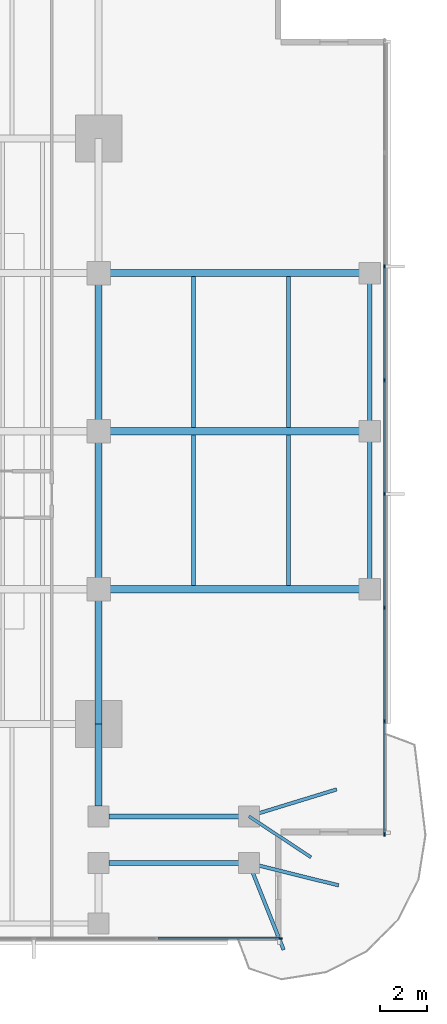
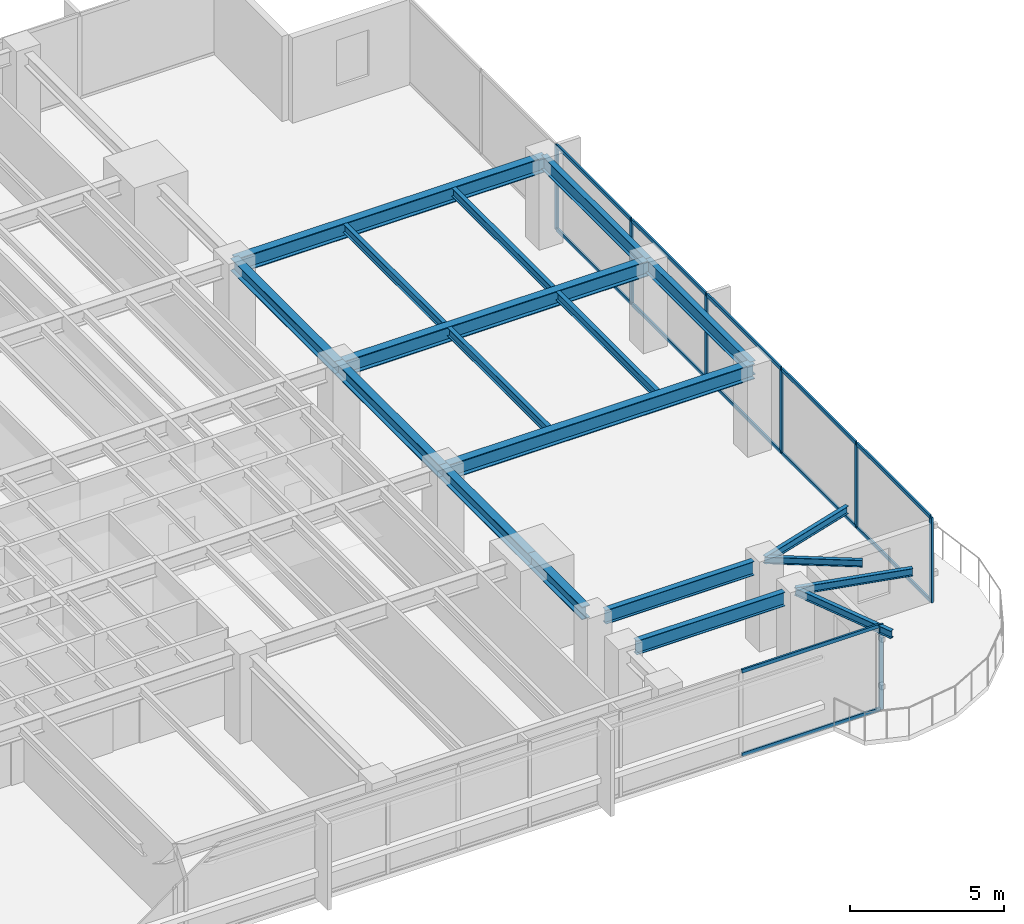
# One storey, part 4 of 14: 19 beams, 19 members, 2 elements without a shape of their own.
"""IFC4 building model written with IfcOpenShell, lengths in metres."""

import ifcopenshell
import ifcopenshell.guid

model = None  # the IFC model being written
_history = None  # IfcOwnerHistory: only IFC2X3 demands one
_inside = {}  # id of a spatial element -> (the spatial element, [elements in it])
_under = {}  # id of a project, library or spatial element -> (it, [spatial elements below it])
_declared = {}  # id of a project -> (the project, [libraries it declares])
_typed = {}  # id of a type object -> (the type object, [elements of that type])
_made_of = {}  # id of a material, layer set ... -> (it, [elements and type objects made of it])


def new_model(schema):
    """Start an empty IFC model of exactly this schema.

    Asked for "IFC4X3", IfcOpenShell would pick the latest addendum, in which some entities
    have other attributes; the version numbers below select the first issue.
    IFC2X3 requires an IfcOwnerHistory on every rooted entity: one is made here for all.
    """
    global model, _history
    if schema == "IFC4X3":
        model = ifcopenshell.file(schema_version=(4, 3, 0, 0))
    else:
        model = ifcopenshell.file(schema=schema)
    _inside.clear()
    _under.clear()
    _declared.clear()
    _typed.clear()
    _made_of.clear()
    _history = None
    if model.schema == "IFC2X3":
        org = make("IfcOrganization", Name="unknown")
        user = make(
            "IfcPersonAndOrganization",
            ThePerson=make("IfcPerson", FamilyName="unknown"),
            TheOrganization=org,
        )
        app = make(
            "IfcApplication",
            ApplicationDeveloper=org,
            Version="unknown",
            ApplicationFullName="unknown",
            ApplicationIdentifier="unknown",
        )
        _history = make(
            "IfcOwnerHistory",
            OwningUser=user,
            OwningApplication=app,
            ChangeAction="ADDED",
            CreationDate=0,
        )
    return model


def make(cls, **values):
    """One entity of the class cls with the attributes given. An attribute that is None is left unset."""
    return model.create_entity(
        cls, **{name: value for name, value in values.items() if value is not None}
    )


def rooted(cls, **values):
    """An entity with a GlobalId (a new one), such as an element, a storey or a relation."""
    return make(cls, GlobalId=ifcopenshell.guid.new(), OwnerHistory=_history, **values)


def si_unit(unit_type, name, prefix=None):
    """IfcSIUnit, for example si_unit("LENGTHUNIT", "METRE", prefix="MILLI")."""
    return make("IfcSIUnit", UnitType=unit_type, Prefix=prefix, Name=name)


def assignment(units):
    """IfcUnitAssignment: the units of a project."""
    return None if units is None else make("IfcUnitAssignment", Units=units)


def point(xyz):
    """IfcCartesianPoint."""
    return None if xyz is None else make("IfcCartesianPoint", Coordinates=xyz)


def direction(xyz):
    """IfcDirection."""
    return None if xyz is None else make("IfcDirection", DirectionRatios=xyz)


def frame(location, z_axis=None, x_axis=None):
    """IfcAxis2Placement3D, a coordinate frame: its origin and axes. An axis left out is left unset."""
    return make(
        "IfcAxis2Placement3D",
        Location=point(location),
        Axis=direction(z_axis),
        RefDirection=direction(x_axis),
    )


def frame_2d(location, x_axis=None):
    """IfcAxis2Placement2D, a coordinate frame in the plane: its origin and x axis."""
    return make(
        "IfcAxis2Placement2D", Location=point(location), RefDirection=direction(x_axis)
    )


def origin():
    """The frame at (0, 0, 0) with its axes left unset."""
    return frame((0.0, 0.0, 0.0))


def origin_2d():
    """The frame at (0, 0) in the plane with its x axis left unset."""
    return frame_2d((0.0, 0.0))


def place(relative_to, where):
    """IfcLocalPlacement: puts the frame where relative to a parent placement (None: the world)."""
    return make(
        "IfcLocalPlacement", PlacementRelTo=relative_to, RelativePlacement=where
    )


def context(
    kind, dimensions, precision=None, world=None, true_north=None, identifier=None
):
    """IfcGeometricRepresentationContext, for example the 3D "Model" context."""
    return make(
        "IfcGeometricRepresentationContext",
        ContextIdentifier=identifier,
        ContextType=kind,
        CoordinateSpaceDimension=dimensions,
        Precision=precision,
        WorldCoordinateSystem=world,
        TrueNorth=true_north,
    )


def subcontext(parent, identifier, kind, view, scale=None):
    """IfcGeometricRepresentationSubContext, for example "Body" below "Model"."""
    return make(
        "IfcGeometricRepresentationSubContext",
        ContextIdentifier=identifier,
        ContextType=kind,
        ParentContext=parent,
        TargetScale=scale,
        TargetView=view,
    )


def project(units=None, contexts=None):
    """IfcProject with its units and contexts."""
    return rooted(
        "IfcProject",
        Name="project",
        RepresentationContexts=contexts,
        UnitsInContext=assignment(units),
    )


def spatial(cls, under=None, at=None, **own):
    """A site, building, storey or space (cls), placed at a placement, below another one or the project."""
    s = rooted(cls, ObjectPlacement=at, **own)
    if under is not None:
        _under.setdefault(under.id(), (under, []))[1].append(s)
    return s


def profile(cls, at=None, kind="AREA", **sizes):
    """A parametric profile (cls). Its sizes go by their IFC names, for example OverallWidth=200.0."""
    return make(cls, ProfileType=kind, Position=at, **sizes)


def rectangle(**sizes):
    """IfcRectangleProfileDef."""
    return profile("IfcRectangleProfileDef", **sizes)


def i_section(**sizes):
    """IfcIShapeProfileDef."""
    return profile("IfcIShapeProfileDef", **sizes)


def extrude(swept, where, along, depth):
    """IfcExtrudedAreaSolid: the profile swept, set in the frame where, extruded along a direction by depth."""
    return make(
        "IfcExtrudedAreaSolid",
        SweptArea=swept,
        Position=where,
        ExtrudedDirection=direction(along),
        Depth=depth,
    )


def shape(context_of_items, identifier, shape_type, items):
    """IfcShapeRepresentation: the items that make up one representation, for example the "Body"."""
    return make(
        "IfcShapeRepresentation",
        ContextOfItems=context_of_items,
        RepresentationIdentifier=identifier,
        RepresentationType=shape_type,
        Items=items,
    )


def material(Name=None, Category=None):
    """IfcMaterial."""
    return make("IfcMaterial", Name=Name, Category=Category)


def layer(
    of_material, thickness, ventilated=None, Name=None, Category=None, Priority=None
):
    """IfcMaterialLayer: one layer of a wall or slab, of a material (None: an air gap)."""
    return make(
        "IfcMaterialLayer",
        Material=of_material,
        LayerThickness=thickness,
        IsVentilated=ventilated,
        Name=Name,
        Category=Category,
        Priority=Priority,
    )


def layer_set(layers, Name=None):
    """IfcMaterialLayerSet."""
    return make("IfcMaterialLayerSet", MaterialLayers=layers, LayerSetName=Name)


def material_profile(
    of_material, cross_section, Name=None, Category=None, Priority=None
):
    """IfcMaterialProfile: a cross section and its material."""
    return make(
        "IfcMaterialProfile",
        Name=Name,
        Material=of_material,
        Profile=cross_section,
        Priority=Priority,
        Category=Category,
    )


def profile_set(profiles, Name=None, composite=None):
    """IfcMaterialProfileSet."""
    return make(
        "IfcMaterialProfileSet",
        Name=Name,
        MaterialProfiles=profiles,
        CompositeProfile=composite,
    )


def made_of(thing, what):
    """Note that an element or type object is made of a material, layer set ...; save() writes the relation."""
    if what is not None:
        _made_of.setdefault(what.id(), (what, []))[1].append(thing)
    return thing


def type_object(cls, material=None, **own):
    """A type object (cls), such as IfcWallType, which elements share."""
    return made_of(rooted(cls, **own), material)


def element(
    cls,
    number,
    at=None,
    inside=None,
    cuts=None,
    type_object=None,
    material=None,
    context=None,
    identifier="Body",
    shape_type=None,
    held_by="IfcProductDefinitionShape",
    body=None,
    shapes=None,
    **own,
):
    """One element of the class cls, such as IfcWall. Its Tag is "e" and its number.

    at: its placement. inside: the storey or other place that contains it. cuts: it is an
    opening in that element (IfcRelVoidsElement). A single representation is given by context,
    identifier, shape_type and body (its items); several are given by shapes. held_by: the class
    of the entity that holds the representations. save() writes the other relations.
    """
    e = rooted(cls, Tag="e%d" % number, ObjectPlacement=at, **own)
    if body is not None:
        shapes = [shape(context, identifier, shape_type, body)]
    if shapes is not None:
        e.Representation = make(held_by, Representations=shapes)
    if inside is not None:
        _inside.setdefault(inside.id(), (inside, []))[1].append(e)
    if cuts is not None:
        rooted(
            "IfcRelVoidsElement", RelatingBuildingElement=cuts, RelatedOpeningElement=e
        )
    if type_object is not None:
        _typed.setdefault(type_object.id(), (type_object, []))[1].append(e)
    return made_of(e, material)


def aggregate(whole, parts):
    """IfcRelAggregates: a whole, such as a stair, and the parts it consists of."""
    return rooted("IfcRelAggregates", RelatingObject=whole, RelatedObjects=parts)


def save(model, path):
    """Write the relations noted so far, then the file.

    IfcRelAggregates (storeys below a building ...), IfcRelContainedInSpatialStructure (elements
    in a storey), IfcRelDefinesByType, IfcRelAssociatesMaterial and IfcRelDeclares: one each for
    every whole, place, type object, material and project.
    """
    for whole, parts in _under.values():
        aggregate(whole, parts)
    for where, things in _inside.values():
        rooted(
            "IfcRelContainedInSpatialStructure",
            RelatedElements=things,
            RelatingStructure=where,
        )
    for kind, things in _typed.values():
        rooted("IfcRelDefinesByType", RelatedObjects=things, RelatingType=kind)
    for what, things in _made_of.values():
        rooted("IfcRelAssociatesMaterial", RelatedObjects=things, RelatingMaterial=what)
    for by, libraries in _declared.values():
        rooted("IfcRelDeclares", RelatingContext=by, RelatedDefinitions=libraries)
    model.write(path)


model = new_model("IFC4")

# Units and contexts
model_context = context("Model", 3, precision=1e-05, world=origin(), true_north=direction((0.0, 1.0)))
body_context = subcontext(model_context, "Body", "Model", "MODEL_VIEW")
ifc_project = project(units=[si_unit("LENGTHUNIT", "METRE"), si_unit("AREAUNIT", "SQUARE_METRE"), si_unit("VOLUMEUNIT", "CUBIC_METRE"), si_unit("PLANEANGLEUNIT", "RADIAN"), si_unit("MASSUNIT", "GRAM", prefix="KILO")], contexts=[model_context])

# Site, building, storey
site_placement = place(None, origin())
site = spatial("IfcSite", under=ifc_project, at=site_placement, CompositionType="ELEMENT")
building_placement = place(site_placement, origin())
building = spatial("IfcBuilding", under=site, at=building_placement, Name="Kinhvarn Gate Tower", CompositionType="ELEMENT")
storey_placement = place(building_placement, frame((0.0, 0.0, 127.10009765625)))
storey = spatial("IfcBuildingStorey", under=building, at=storey_placement, Name="L33", CompositionType="ELEMENT", Elevation=127.10009765625)

# Curtain wall, member
ifc_material_1 = material(Name="Anodised aluminium AW-6063", Category="aluminium")
ifc_layer = layer(ifc_material_1, 0.179931640625)
ifc_layer_set = layer_set([ifc_layer], Name="Anodised aluminium AW-6063")
curtain_wall_type = type_object("IfcCurtainWallType", Name="CW-SYS-3", PredefinedType="NOTDEFINED", material=ifc_layer_set)
curtain_wall_1_placement = place(storey_placement, origin())
curtain_wall_1 = element("IfcCurtainWall", 1, at=curtain_wall_1_placement, inside=storey, type_object=curtain_wall_type, Name="Curtain Wall CW3 (L33)", PredefinedType="NOTDEFINED")
ifc_material_profile_1 = material_profile(ifc_material_1, rectangle(XDim=0.06494140625, YDim=0.159912109375, at=origin_2d()), Name="ALU 65x160")
ifc_profile_set_1 = profile_set([ifc_material_profile_1], Name="Anodised aluminium AW-6063")
member_type_1 = type_object("IfcMemberType", Name="CW-MUL-160", PredefinedType="MULLION", material=ifc_profile_set_1)
member_1_placement = place(storey_placement, frame((45.967529296875, 3.590087890625, 0.0), z_axis=(0.0, 0.0, 1.0), x_axis=(0.0, 1.0, 0.0)))
member_1 = element("IfcMember", 2, at=member_1_placement, type_object=member_type_1, Name="CW3 mullion 8", PredefinedType="MULLION", context=body_context, shape_type="SweptSolid", body=[
    extrude(rectangle(XDim=0.06494140625, YDim=0.159912109375, at=origin_2d()), origin(), (0.0, 0.0, 1.0), 3.369873046875),
])

# Curtain wall, members
curtain_wall_2_placement = place(storey_placement, origin())
curtain_wall_2 = element("IfcCurtainWall", 3, at=curtain_wall_2_placement, inside=storey, type_object=curtain_wall_type, Name="Curtain Wall CW3 (L33)", PredefinedType="NOTDEFINED")
member_2_placement = place(storey_placement, frame((50.409912109375, 8.032470703125, 0.0), z_axis=(0.0, 0.0, 1.0), x_axis=(-1.0, 0.0, 0.0)))
member_2 = element("IfcMember", 4, at=member_2_placement, type_object=member_type_1, Name="CW3 mullion 1", PredefinedType="MULLION", context=body_context, shape_type="SweptSolid", body=[
    extrude(rectangle(XDim=0.06494140625, YDim=0.159912109375, at=origin_2d()), origin(), (0.0, 0.0, 1.0), 3.369873046875),
])
member_3_placement = place(storey_placement, frame((50.409912109375, 12.857177734375, 0.0), z_axis=(0.0, 0.0, 1.0), x_axis=(-1.0, 0.0, 0.0)))
member_3 = element("IfcMember", 5, at=member_3_placement, type_object=member_type_1, Name="CW3 mullion 2", PredefinedType="MULLION", context=body_context, shape_type="SweptSolid", body=[
    extrude(rectangle(XDim=0.06494140625, YDim=0.159912109375, at=origin_2d()), origin(), (0.0, 0.0, 1.0), 3.369873046875),
])
member_4_placement = place(storey_placement, frame((50.409912109375, 17.71435546875, 0.0), z_axis=(0.0, 0.0, 1.0), x_axis=(-1.0, 0.0, 0.0)))
member_4 = element("IfcMember", 6, at=member_4_placement, type_object=member_type_1, Name="CW3 mullion 3", PredefinedType="MULLION", context=body_context, shape_type="SweptSolid", body=[
    extrude(rectangle(XDim=0.06494140625, YDim=0.159912109375, at=origin_2d()), origin(), (0.0, 0.0, 1.0), 3.369873046875),
])
member_5_placement = place(storey_placement, frame((50.409912109375, 22.571533203125, 0.0), z_axis=(0.0, 0.0, 1.0), x_axis=(-1.0, 0.0, 0.0)))
member_5 = element("IfcMember", 7, at=member_5_placement, type_object=member_type_1, Name="CW3 mullion 4", PredefinedType="MULLION", context=body_context, shape_type="SweptSolid", body=[
    extrude(rectangle(XDim=0.06494140625, YDim=0.159912109375, at=origin_2d()), origin(), (0.0, 0.0, 1.0), 3.369873046875),
])
member_6_placement = place(storey_placement, frame((50.409912109375, 27.428466796875, 0.0), z_axis=(0.0, 0.0, 1.0), x_axis=(-1.0, 0.0, 0.0)))
member_6 = element("IfcMember", 8, at=member_6_placement, type_object=member_type_1, Name="CW3 mullion 5", PredefinedType="MULLION", context=body_context, shape_type="SweptSolid", body=[
    extrude(rectangle(XDim=0.06494140625, YDim=0.159912109375, at=origin_2d()), origin(), (0.0, 0.0, 1.0), 3.369873046875),
])
member_7_placement = place(storey_placement, frame((50.409912109375, 32.28564453125, 0.0), z_axis=(0.0, 0.0, 1.0), x_axis=(-1.0, 0.0, 0.0)))
member_7 = element("IfcMember", 9, at=member_7_placement, type_object=member_type_1, Name="CW3 mullion 6", PredefinedType="MULLION", context=body_context, shape_type="SweptSolid", body=[
    extrude(rectangle(XDim=0.06494140625, YDim=0.159912109375, at=origin_2d()), origin(), (0.0, 0.0, 1.0), 3.369873046875),
])

# Member
ifc_material_profile_2 = material_profile(ifc_material_1, rectangle(XDim=0.070068359375, YDim=0.139892578125, at=origin_2d()), Name="ALU 70x140")
ifc_profile_set_2 = profile_set([ifc_material_profile_2], Name="Anodised aluminium AW-6063")
member_type_2 = type_object("IfcMemberType", Name="CW-TRN-140", PredefinedType="USERDEFINED", material=ifc_profile_set_2)
member_8_placement = place(storey_placement, frame((40.746826171875, 3.590087890625, 0.034912109375), z_axis=(1.0, 0.0, 0.0), x_axis=(0.0, 1.0, 0.0)))
member_8 = element("IfcMember", 10, at=member_8_placement, type_object=member_type_2, Name="CW3 transom 7.1", ObjectType="TRANSOM", PredefinedType="USERDEFINED", context=body_context, shape_type="SweptSolid", body=[
    extrude(rectangle(XDim=0.070068359375, YDim=0.139892578125, at=origin_2d()), origin(), (0.0, 0.0, 1.0), 5.188232421875),
])

member_9_placement = place(storey_placement, frame((40.746826171875, 3.590087890625, 3.3349609375), z_axis=(1.0, 0.0, 0.0), x_axis=(0.0, 1.0, 0.0)))
member_9 = element("IfcMember", 11, at=member_9_placement, type_object=member_type_2, Name="CW3 transom 7.2", ObjectType="TRANSOM", PredefinedType="USERDEFINED", context=body_context, shape_type="SweptSolid", body=[
    extrude(rectangle(XDim=0.070068359375, YDim=0.139892578125, at=origin_2d()), origin(), (0.0, 0.0, 1.0), 5.188232421875),
])

aggregate(curtain_wall_1, [member_1, member_8, member_9])

member_10_placement = place(storey_placement, frame((50.409912109375, 8.06494140625, 0.034912109375), z_axis=(0.0, 1.0, 0.0), x_axis=(-1.0, 0.0, 0.0)))
member_10 = element("IfcMember", 12, at=member_10_placement, type_object=member_type_2, Name="CW3 transom 1.1", ObjectType="TRANSOM", PredefinedType="USERDEFINED", context=body_context, shape_type="SweptSolid", body=[
    extrude(rectangle(XDim=0.070068359375, YDim=0.139892578125, at=origin_2d()), origin(), (0.0, 0.0, 1.0), 4.759765625),
])

member_11_placement = place(storey_placement, frame((50.409912109375, 8.06494140625, 3.3349609375), z_axis=(0.0, 1.0, 0.0), x_axis=(-1.0, 0.0, 0.0)))
member_11 = element("IfcMember", 13, at=member_11_placement, type_object=member_type_2, Name="CW3 transom 1.2", ObjectType="TRANSOM", PredefinedType="USERDEFINED", context=body_context, shape_type="SweptSolid", body=[
    extrude(rectangle(XDim=0.070068359375, YDim=0.139892578125, at=origin_2d()), origin(), (0.0, 0.0, 1.0), 4.759765625),
])

member_12_placement = place(storey_placement, frame((50.409912109375, 12.8896484375, 0.034912109375), z_axis=(0.0, 1.0, 0.0), x_axis=(-1.0, 0.0, 0.0)))
member_12 = element("IfcMember", 14, at=member_12_placement, type_object=member_type_2, Name="CW3 transom 2.1", ObjectType="TRANSOM", PredefinedType="USERDEFINED", context=body_context, shape_type="SweptSolid", body=[
    extrude(rectangle(XDim=0.070068359375, YDim=0.139892578125, at=origin_2d()), origin(), (0.0, 0.0, 1.0), 4.792236328125),
])

member_13_placement = place(storey_placement, frame((50.409912109375, 12.8896484375, 3.3349609375), z_axis=(0.0, 1.0, 0.0), x_axis=(-1.0, 0.0, 0.0)))
member_13 = element("IfcMember", 15, at=member_13_placement, type_object=member_type_2, Name="CW3 transom 2.2", ObjectType="TRANSOM", PredefinedType="USERDEFINED", context=body_context, shape_type="SweptSolid", body=[
    extrude(rectangle(XDim=0.070068359375, YDim=0.139892578125, at=origin_2d()), origin(), (0.0, 0.0, 1.0), 4.792236328125),
])

member_14_placement = place(storey_placement, frame((50.409912109375, 17.746826171875, 0.034912109375), z_axis=(0.0, 1.0, 0.0), x_axis=(-1.0, 0.0, 0.0)))
member_14 = element("IfcMember", 16, at=member_14_placement, type_object=member_type_2, Name="CW3 transom 3.1", ObjectType="TRANSOM", PredefinedType="USERDEFINED", context=body_context, shape_type="SweptSolid", body=[
    extrude(rectangle(XDim=0.070068359375, YDim=0.139892578125, at=origin_2d()), origin(), (0.0, 0.0, 1.0), 4.7919921875),
])

member_15_placement = place(storey_placement, frame((50.409912109375, 17.746826171875, 3.3349609375), z_axis=(0.0, 1.0, 0.0), x_axis=(-1.0, 0.0, 0.0)))
member_15 = element("IfcMember", 17, at=member_15_placement, type_object=member_type_2, Name="CW3 transom 3.2", ObjectType="TRANSOM", PredefinedType="USERDEFINED", context=body_context, shape_type="SweptSolid", body=[
    extrude(rectangle(XDim=0.070068359375, YDim=0.139892578125, at=origin_2d()), origin(), (0.0, 0.0, 1.0), 4.7919921875),
])

member_16_placement = place(storey_placement, frame((50.409912109375, 22.60400390625, 0.034912109375), z_axis=(0.0, 1.0, 0.0), x_axis=(-1.0, 0.0, 0.0)))
member_16 = element("IfcMember", 18, at=member_16_placement, type_object=member_type_2, Name="CW3 transom 4.1", ObjectType="TRANSOM", PredefinedType="USERDEFINED", context=body_context, shape_type="SweptSolid", body=[
    extrude(rectangle(XDim=0.070068359375, YDim=0.139892578125, at=origin_2d()), origin(), (0.0, 0.0, 1.0), 4.7919921875),
])

member_17_placement = place(storey_placement, frame((50.409912109375, 22.60400390625, 3.3349609375), z_axis=(0.0, 1.0, 0.0), x_axis=(-1.0, 0.0, 0.0)))
member_17 = element("IfcMember", 19, at=member_17_placement, type_object=member_type_2, Name="CW3 transom 4.2", ObjectType="TRANSOM", PredefinedType="USERDEFINED", context=body_context, shape_type="SweptSolid", body=[
    extrude(rectangle(XDim=0.070068359375, YDim=0.139892578125, at=origin_2d()), origin(), (0.0, 0.0, 1.0), 4.7919921875),
])

member_18_placement = place(storey_placement, frame((50.409912109375, 27.461181640625, 0.034912109375), z_axis=(0.0, 1.0, 0.0), x_axis=(-1.0, 0.0, 0.0)))
member_18 = element("IfcMember", 20, at=member_18_placement, type_object=member_type_2, Name="CW3 transom 5.1", ObjectType="TRANSOM", PredefinedType="USERDEFINED", context=body_context, shape_type="SweptSolid", body=[
    extrude(rectangle(XDim=0.070068359375, YDim=0.139892578125, at=origin_2d()), origin(), (0.0, 0.0, 1.0), 4.7919921875),
])

member_19_placement = place(storey_placement, frame((50.409912109375, 27.461181640625, 3.3349609375), z_axis=(0.0, 1.0, 0.0), x_axis=(-1.0, 0.0, 0.0)))
member_19 = element("IfcMember", 21, at=member_19_placement, type_object=member_type_2, Name="CW3 transom 5.2", ObjectType="TRANSOM", PredefinedType="USERDEFINED", context=body_context, shape_type="SweptSolid", body=[
    extrude(rectangle(XDim=0.070068359375, YDim=0.139892578125, at=origin_2d()), origin(), (0.0, 0.0, 1.0), 4.7919921875),
])

aggregate(curtain_wall_2, [member_2, member_3, member_4, member_5, member_6, member_7, member_10, member_11, member_12, member_13, member_14, member_15, member_16, member_17, member_18, member_19])

# Beams
ifc_material_2 = material(Name="Steel S355", Category="steel")
ifc_material_profile_3 = material_profile(ifc_material_2, i_section(OverallWidth=0.300048828125, OverallDepth=0.5, WebThickness=0.014404296875, FlangeThickness=0.028076171875, at=origin_2d()), Name="HEB 500")
ifc_profile_set_3 = profile_set([ifc_material_profile_3], Name="Steel S355")
beam_type_1 = type_object("IfcBeamType", Name="STL-HEB500", PredefinedType="BEAM", material=ifc_profile_set_3)
beam_1_placement = place(storey_placement, frame((38.199951171875, 9.235107421875, 3.119873046875), z_axis=(0.0, 1.0, 0.0), x_axis=(-1.0, 0.0, 0.0)))
element("IfcBeam", 22, at=beam_1_placement, inside=storey, type_object=beam_type_1, Name="Floor Beam PG-14 (L33 MCE-S-A2)", PredefinedType="BEAM", context=body_context, shape_type="SweptSolid", body=[
    extrude(i_section(OverallWidth=0.300048828125, OverallDepth=0.5, WebThickness=0.014404296875, FlangeThickness=0.028076171875, at=origin_2d()), origin(), (0.0, 0.0, 1.0), 3.514892578125),
])
beam_2_placement = place(storey_placement, frame((38.199951171875, 12.75, 3.119873046875), z_axis=(0.0, 1.0, 0.0), x_axis=(-1.0, 0.0, 0.0)))
element("IfcBeam", 23, at=beam_2_placement, inside=storey, type_object=beam_type_1, Name="Floor Beam PG-14 (L33 MG-E-12)", PredefinedType="BEAM", context=body_context, shape_type="SweptSolid", body=[
    extrude(i_section(OverallWidth=0.300048828125, OverallDepth=0.5, WebThickness=0.014404296875, FlangeThickness=0.028076171875, at=origin_2d()), origin(), (0.0, 0.0, 1.0), 5.75),
])
for number, where, z_axis, x_axis, name in (
    (24, (38.199951171875, 18.5, 3.119873046875), (0.0, 1.0, 0.0), (-1.0, 0.0, 0.0), "Floor Beam PG-14 (L33 MG-E-18)"),
    (25, (38.199951171875, 25.25, 3.119873046875), (0.0, 1.0, 0.0), (-1.0, 0.0, 0.0), "Floor Beam PG-14 (L33 MG-E-25)"),
):
    element("IfcBeam", number, at=place(storey_placement, frame(where, z_axis=z_axis, x_axis=x_axis)), inside=storey, type_object=beam_type_1, Name=name, PredefinedType="BEAM", context=body_context, shape_type="SweptSolid", body=[
        extrude(i_section(OverallWidth=0.300048828125, OverallDepth=0.5, WebThickness=0.014404296875, FlangeThickness=0.028076171875, at=origin_2d()), origin(), (0.0, 0.0, 1.0), 6.75),
    ])
ifc_material_profile_4 = material_profile(ifc_material_2, i_section(OverallWidth=0.300048828125, OverallDepth=0.60009765625, WebThickness=0.015380859375, FlangeThickness=0.030029296875, at=origin_2d()), Name="HEB 600")
ifc_profile_set_4 = profile_set([ifc_material_profile_4], Name="Steel S355")
beam_type_2 = type_object("IfcBeamType", Name="STL-HEB600", PredefinedType="BEAM", material=ifc_profile_set_4)
for number, where, z_axis, x_axis, name in (
    (26, (38.199951171875, 18.5, 3.06982421875), (1.0, 0.0, 0.0), (0.0, 1.0, 0.0), "Floor Beam PG-16 (L33 EW2-Y18)"),
    (27, (38.199951171875, 25.25, 3.06982421875), (1.0, 0.0, 0.0), (0.0, 1.0, 0.0), "Floor Beam PG-16 (L33 EW2-Y25)"),
    (28, (38.199951171875, 32.0, 3.06982421875), (1.0, 0.0, 0.0), (0.0, 1.0, 0.0), "Floor Beam PG-16 (L33 EW2-Y32)"),
):
    element("IfcBeam", number, at=place(storey_placement, frame(where, z_axis=z_axis, x_axis=x_axis)), inside=storey, type_object=beam_type_2, Name=name, PredefinedType="BEAM", context=body_context, shape_type="SweptSolid", body=[
        extrude(i_section(OverallWidth=0.300048828125, OverallDepth=0.60009765625, WebThickness=0.015380859375, FlangeThickness=0.030029296875, at=origin_2d()), origin(), (0.0, 0.0, 1.0), 11.580078125),
    ])
ifc_material_profile_5 = material_profile(ifc_material_2, i_section(OverallWidth=0.135009765625, OverallDepth=0.27001953125, WebThickness=0.006591796875, FlangeThickness=0.01025390625, at=origin_2d()), Name="IPE 270")
ifc_profile_set_5 = profile_set([ifc_material_profile_5], Name="Steel S355")
beam_type_3 = type_object("IfcBeamType", Name="STL-IPE270", PredefinedType="JOIST", material=ifc_profile_set_5)
beam_3_placement = place(storey_placement, frame((44.6201171875, 8.800048828125, 3.23486328125), z_axis=(0.834455271211, -0.5510756757, 0.0), x_axis=(0.5510756757, 0.834455271211, 0.0)))
element("IfcBeam", 29, at=beam_3_placement, inside=storey, type_object=beam_type_3, Name="Floor Joist SB-01 (L33 BAL-B3-L34)", PredefinedType="JOIST", context=body_context, shape_type="SweptSolid", body=[
    extrude(i_section(OverallWidth=0.135009765625, OverallDepth=0.27001953125, WebThickness=0.006591796875, FlangeThickness=0.01025390625, at=origin_2d()), origin(), (0.0, 0.0, 1.0), 3.175537109375),
])
ifc_material_profile_6 = material_profile(ifc_material_2, i_section(OverallWidth=0.14990234375, OverallDepth=0.300048828125, WebThickness=0.007080078125, FlangeThickness=0.0107421875, at=origin_2d()), Name="IPE 300")
ifc_profile_set_6 = profile_set([ifc_material_profile_6], Name="Steel S355")
beam_type_4 = type_object("IfcBeamType", Name="STL-IPE300", PredefinedType="JOIST", material=ifc_profile_set_6)
beam_4_placement = place(storey_placement, frame((44.6201171875, 6.800048828125, 3.219970703125), z_axis=(0.97058851083, -0.240744558911, 0.0), x_axis=(0.240744558911, 0.97058851083, 0.0)))
element("IfcBeam", 30, at=beam_4_placement, inside=storey, type_object=beam_type_4, Name="Floor Joist SB-02 (L33 BAL-B1-L34)", PredefinedType="JOIST", context=body_context, shape_type="SweptSolid", body=[
    extrude(i_section(OverallWidth=0.14990234375, OverallDepth=0.300048828125, WebThickness=0.007080078125, FlangeThickness=0.0107421875, at=origin_2d()), origin(), (0.0, 0.0, 1.0), 3.94580078125),
])
beam_5_placement = place(storey_placement, frame((44.6201171875, 6.800048828125, 3.219970703125), z_axis=(0.371390676354, -0.928476690885, 0.0), x_axis=(0.928476690885, 0.371390676354, 0.0)))
element("IfcBeam", 31, at=beam_5_placement, inside=storey, type_object=beam_type_4, Name="Floor Joist SB-02 (L33 BAL-B2-L34)", PredefinedType="JOIST", context=body_context, shape_type="SweptSolid", body=[
    extrude(i_section(OverallWidth=0.14990234375, OverallDepth=0.300048828125, WebThickness=0.007080078125, FlangeThickness=0.0107421875, at=origin_2d()), origin(), (0.0, 0.0, 1.0), 3.98486328125),
])
beam_6_placement = place(storey_placement, frame((44.6201171875, 8.800048828125, 3.219970703125), z_axis=(0.95606118681, 0.293167199862, 0.0), x_axis=(-0.293167199862, 0.95606118681, 0.0)))
element("IfcBeam", 32, at=beam_6_placement, inside=storey, type_object=beam_type_4, Name="Floor Joist SB-02 (L33 BAL-B5-L34)", PredefinedType="JOIST", context=body_context, shape_type="SweptSolid", body=[
    extrude(i_section(OverallWidth=0.14990234375, OverallDepth=0.300048828125, WebThickness=0.007080078125, FlangeThickness=0.0107421875, at=origin_2d()), origin(), (0.0, 0.0, 1.0), 3.92236328125),
])
ifc_material_profile_7 = material_profile(ifc_material_2, i_section(OverallWidth=0.159912109375, OverallDepth=0.330078125, WebThickness=0.007568359375, FlangeThickness=0.011474609375, at=origin_2d()), Name="IPE 330")
ifc_profile_set_7 = profile_set([ifc_material_profile_7], Name="Steel S355")
beam_type_5 = type_object("IfcBeamType", Name="STL-IPE330", PredefinedType="JOIST", material=ifc_profile_set_7)
for number, where, z_axis, x_axis, name in (
    (33, (42.25, 18.64990234375, 3.204833984375), (0.0, 1.0, 0.0), (-1.0, 0.0, 0.0), "Floor Joist SB-03 (L33 JC-X422-1)"),
    (34, (42.25, 25.39990234375, 3.204833984375), (0.0, 1.0, 0.0), (-1.0, 0.0, 0.0), "Floor Joist SB-03 (L33 JC-X422-2)"),
    (35, (46.31005859375, 18.64990234375, 3.204833984375), (0.0, 1.0, 0.0), (-1.0, 0.0, 0.0), "Floor Joist SB-03 (L33 JC-X463-1)"),
    (36, (46.31005859375, 25.39990234375, 3.204833984375), (0.0, 1.0, 0.0), (-1.0, 0.0, 0.0), "Floor Joist SB-03 (L33 JC-X463-2)"),
):
    element("IfcBeam", number, at=place(storey_placement, frame(where, z_axis=z_axis, x_axis=x_axis)), inside=storey, type_object=beam_type_5, Name=name, PredefinedType="JOIST", context=body_context, shape_type="SweptSolid", body=[
        extrude(i_section(OverallWidth=0.159912109375, OverallDepth=0.330078125, WebThickness=0.007568359375, FlangeThickness=0.011474609375, at=origin_2d()), origin(), (0.0, 0.0, 1.0), 6.4501953125),
    ])
ifc_material_profile_8 = material_profile(ifc_material_2, i_section(OverallWidth=0.2099609375, OverallDepth=0.550048828125, WebThickness=0.010986328125, FlangeThickness=0.01708984375, at=origin_2d()), Name="IPE 550")
ifc_profile_set_8 = profile_set([ifc_material_profile_8], Name="Steel S355")
beam_type_6 = type_object("IfcBeamType", Name="STL-IPE550", PredefinedType="SPANDREL", material=ifc_profile_set_8)
for number, where, z_axis, x_axis, name in (
    (37, (38.635009765625, 8.800048828125, 3.094970703125), (1.0, 0.0, 0.0), (0.0, 1.0, 0.0), "Floor Spandrel SB-08 (L33 SP-SE2)"),
    (38, (38.635009765625, 6.800048828125, 3.094970703125), (1.0, 0.0, 0.0), (0.0, 1.0, 0.0), "Floor Spandrel SB-08 (L33 SP-SE2-S)"),
):
    element("IfcBeam", number, at=place(storey_placement, frame(where, z_axis=z_axis, x_axis=x_axis)), inside=storey, type_object=beam_type_6, Name=name, PredefinedType="SPANDREL", context=body_context, shape_type="SweptSolid", body=[
        extrude(i_section(OverallWidth=0.2099609375, OverallDepth=0.550048828125, WebThickness=0.010986328125, FlangeThickness=0.01708984375, at=origin_2d()), origin(), (0.0, 0.0, 1.0), 5.550048828125),
    ])
for number, where, z_axis, x_axis, name in (
    (39, (49.780029296875, 18.5, 3.094970703125), (0.0, 1.0, 0.0), (-1.0, 0.0, 0.0), "Floor Spandrel SB-08 (L33 SP-E2)"),
    (40, (49.780029296875, 25.25, 3.094970703125), (0.0, 1.0, 0.0), (-1.0, 0.0, 0.0), "Floor Spandrel SB-08 (L33 SP-E3)"),
):
    element("IfcBeam", number, at=place(storey_placement, frame(where, z_axis=z_axis, x_axis=x_axis)), inside=storey, type_object=beam_type_6, Name=name, PredefinedType="SPANDREL", context=body_context, shape_type="SweptSolid", body=[
        extrude(i_section(OverallWidth=0.2099609375, OverallDepth=0.550048828125, WebThickness=0.010986328125, FlangeThickness=0.01708984375, at=origin_2d()), origin(), (0.0, 0.0, 1.0), 6.75),
    ])

save(model, "model.ifc")
